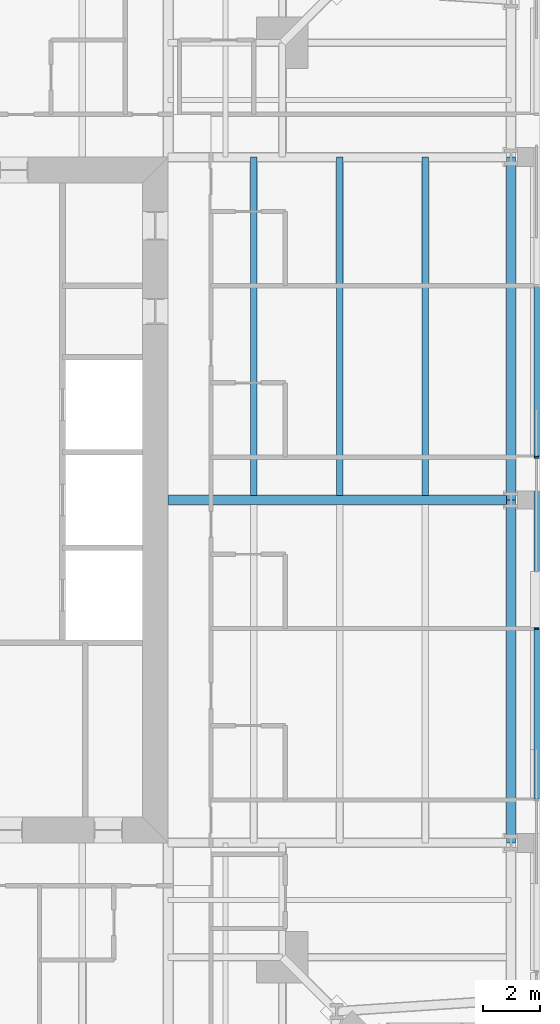
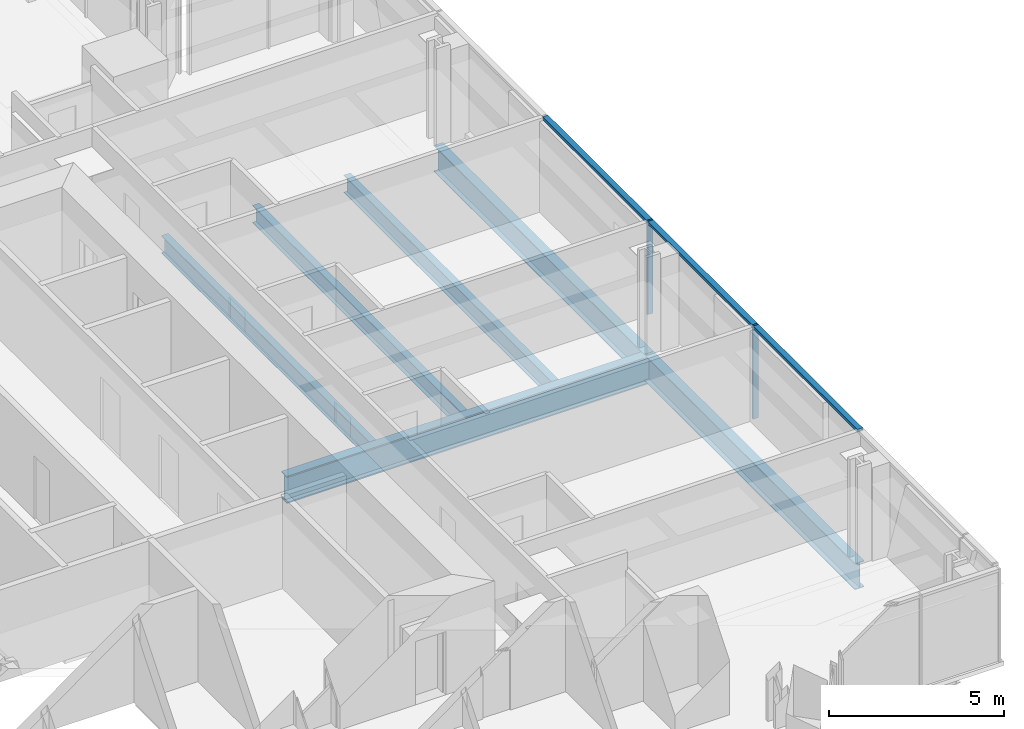
# One storey, part 6 of 20: 6 beams, 5 members, 1 element without a shape of its own.
"""IFC4 building model written with IfcOpenShell, lengths in metres."""

from ifc_helpers import new_model, si_unit, direction, frame, origin, origin_2d, place, context, subcontext, project, spatial, rectangle, i_section, extrude, material, material_profile, profile_set, type_object, element, aggregate, save


model = new_model("IFC4")

# Units and contexts
model_context = context("Model", 3, precision=1e-05, world=origin(), true_north=direction((0.0, 1.0)))
body_context = subcontext(model_context, "Body", "Model", "MODEL_VIEW")
ifc_project = project(units=[si_unit("LENGTHUNIT", "METRE"), si_unit("AREAUNIT", "SQUARE_METRE"), si_unit("VOLUMEUNIT", "CUBIC_METRE"), si_unit("PLANEANGLEUNIT", "RADIAN"), si_unit("MASSUNIT", "GRAM", prefix="KILO")], contexts=[model_context])

# Site, building, storey
site_placement = place(None, origin())
site = spatial("IfcSite", under=ifc_project, at=site_placement, CompositionType="ELEMENT")
building_placement = place(site_placement, origin())
building = spatial("IfcBuilding", under=site, at=building_placement, Name="Fenwick Lantern Interchange", CompositionType="ELEMENT")
storey_placement = place(building_placement, frame((0.0, 0.0, 245.800048828125)))
storey = spatial("IfcBuildingStorey", under=building, at=storey_placement, Name="L57", CompositionType="ELEMENT", Elevation=245.800048828125)

# Beams
ifc_material_1 = material(Name="Steel ASTM A992 Grade 50", Category="steel")
ifc_material_profile_1 = material_profile(ifc_material_1, i_section(OverallWidth=0.3046875, OverallDepth=0.911865234375, WebThickness=0.015869140625, FlangeThickness=0.02392578125, at=origin_2d()), Name="W36X150")
ifc_profile_set_1 = profile_set([ifc_material_profile_1], Name="Steel ASTM A992 Grade 50")
beam_type_1 = type_object("IfcBeamType", Name="EDGE BEAM W36X150", PredefinedType="SPANDREL", material=ifc_profile_set_1)
for number, where, z_axis, x_axis, name in (
    (1, (49.0, 13.0, -0.60595703125), (0.0, 1.0, 0.0), (-1.0, 0.0, 0.0), "L57/FR/E/EB2"),
    (2, (49.0, 25.0, -0.60595703125), (0.0, 1.0, 0.0), (-1.0, 0.0, 0.0), "L57/FR/E/EB3"),
):
    element("IfcBeam", number, at=place(storey_placement, frame(where, z_axis=z_axis, x_axis=x_axis)), inside=storey, type_object=beam_type_1, Name=name, PredefinedType="SPANDREL", context=body_context, shape_type="SweptSolid", body=[
        extrude(i_section(OverallWidth=0.3046875, OverallDepth=0.911865234375, WebThickness=0.015869140625, FlangeThickness=0.02392578125, at=origin_2d()), origin(), (0.0, 0.0, 1.0), 12.0),
    ])
ifc_material_profile_2 = material_profile(ifc_material_1, i_section(OverallWidth=0.22900390625, OverallDepth=0.612060546875, WebThickness=0.011962890625, FlangeThickness=0.01953125, at=origin_2d()), Name="W24X84")
ifc_profile_set_2 = profile_set([ifc_material_profile_2], Name="Steel ASTM A992 Grade 50")
beam_type_2 = type_object("IfcBeamType", Name="FLOOR BEAM W24X84", PredefinedType="BEAM", material=ifc_profile_set_2)
for number, where, z_axis, x_axis, name in (
    (3, (46.0, 25.155029296875, -0.4560546875), (0.0, 1.0, 0.0), (-1.0, 0.0, 0.0), "L57/FR/E/B04"),
    (4, (43.0, 25.155029296875, -0.4560546875), (0.0, 1.0, 0.0), (-1.0, 0.0, 0.0), "L57/FR/E/B05"),
    (5, (40.0, 25.155029296875, -0.4560546875), (0.0, 1.0, 0.0), (-1.0, 0.0, 0.0), "L57/FR/E/B06"),
):
    element("IfcBeam", number, at=place(storey_placement, frame(where, z_axis=z_axis, x_axis=x_axis)), inside=storey, type_object=beam_type_2, Name=name, PredefinedType="BEAM", context=body_context, shape_type="SweptSolid", body=[
        extrude(i_section(OverallWidth=0.22900390625, OverallDepth=0.612060546875, WebThickness=0.011962890625, FlangeThickness=0.01953125, at=origin_2d()), origin(), (0.0, 0.0, 1.0), 11.844970703125),
    ])

# Curtain wall, members
ifc_material_2 = material(Name="Aluminium curtain wall frame", Category="aluminium")
curtain_wall_type = type_object("IfcCurtainWallType", Name="HOTEL CURTAIN WALL", PredefinedType="USERDEFINED", material=ifc_material_2)
curtain_wall_placement = place(storey_placement, origin())
curtain_wall = element("IfcCurtainWall", 6, at=curtain_wall_placement, inside=storey, type_object=curtain_wall_type, Name="Hotel curtain wall 05", ObjectType="HOTEL CURTAIN WALL", PredefinedType="USERDEFINED")
ifc_material_3 = material(Name="Aluminium extrusion", Category="aluminium")
ifc_material_profile_3 = material_profile(ifc_material_3, rectangle(XDim=0.179931640625, YDim=0.06005859375, at=origin_2d()), Name="HOTEL CURTAIN WALL MULLION 60 X 180")
ifc_profile_set_3 = profile_set([ifc_material_profile_3], Name="Aluminium extrusion")
member_type_1 = type_object("IfcMemberType", Name="HOTEL CURTAIN WALL MULLION 60 X 180", PredefinedType="MULLION", material=ifc_profile_set_3)
member_1_placement = place(storey_placement, frame((49.89990234375, 20.5, 0.0), z_axis=(0.0, 0.0, 1.0), x_axis=(-1.0, 0.0, 0.0)))
member_1 = element("IfcMember", 7, at=member_1_placement, type_object=member_type_1, Name="L57/CW/05/M03", PredefinedType="MULLION", context=body_context, shape_type="SweptSolid", body=[
    extrude(rectangle(XDim=0.179931640625, YDim=0.06005859375, at=origin_2d()), origin(), (0.0, 0.0, 1.0), 3.25),
])
member_2_placement = place(storey_placement, frame((49.89990234375, 26.5, 0.0), z_axis=(0.0, 0.0, 1.0), x_axis=(-1.0, 0.0, 0.0)))
member_2 = element("IfcMember", 8, at=member_2_placement, type_object=member_type_1, Name="L57/CW/05/M04", PredefinedType="MULLION", context=body_context, shape_type="SweptSolid", body=[
    extrude(rectangle(XDim=0.179931640625, YDim=0.06005859375, at=origin_2d()), origin(), (0.0, 0.0, 1.0), 3.25),
])
ifc_material_profile_4 = material_profile(ifc_material_3, rectangle(XDim=0.179931640625, YDim=0.10009765625, at=origin_2d()), Name="HOTEL CURTAIN WALL TRANSOM 100 X 180")
ifc_profile_set_4 = profile_set([ifc_material_profile_4], Name="Aluminium extrusion")
member_type_2 = type_object("IfcMemberType", Name="HOTEL CURTAIN WALL TRANSOM 100 X 180", PredefinedType="MULLION", material=ifc_profile_set_4)
member_3_placement = place(storey_placement, frame((49.89990234375, 14.530029296875, 3.199951171875), z_axis=(0.0, 1.0, 0.0), x_axis=(-1.0, 0.0, 0.0)))
member_3 = element("IfcMember", 9, at=member_3_placement, type_object=member_type_2, Name="L57/CW/05/T02", PredefinedType="MULLION", context=body_context, shape_type="SweptSolid", body=[
    extrude(rectangle(XDim=0.179931640625, YDim=0.10009765625, at=origin_2d()), origin(), (0.0, 0.0, 1.0), 5.93994140625),
])
member_4_placement = place(storey_placement, frame((49.89990234375, 20.530029296875, 3.199951171875), z_axis=(0.0, 1.0, 0.0), x_axis=(-1.0, 0.0, 0.0)))
member_4 = element("IfcMember", 10, at=member_4_placement, type_object=member_type_2, Name="L57/CW/05/T03", PredefinedType="MULLION", context=body_context, shape_type="SweptSolid", body=[
    extrude(rectangle(XDim=0.179931640625, YDim=0.10009765625, at=origin_2d()), origin(), (0.0, 0.0, 1.0), 5.93994140625),
])
member_5_placement = place(storey_placement, frame((49.89990234375, 26.530029296875, 3.199951171875), z_axis=(0.0, 1.0, 0.0), x_axis=(-1.0, 0.0, 0.0)))
member_5 = element("IfcMember", 11, at=member_5_placement, type_object=member_type_2, Name="L57/CW/05/T04", PredefinedType="MULLION", context=body_context, shape_type="SweptSolid", body=[
    extrude(rectangle(XDim=0.179931640625, YDim=0.10009765625, at=origin_2d()), origin(), (0.0, 0.0, 1.0), 5.93994140625),
])
aggregate(curtain_wall, [member_1, member_2, member_3, member_4, member_5])

# Beam
ifc_material_profile_5 = material_profile(ifc_material_1, i_section(OverallWidth=0.309814453125, OverallDepth=0.949951171875, WebThickness=0.0244140625, FlangeThickness=0.0439453125, at=origin_2d()), Name="W36X256")
ifc_profile_set_5 = profile_set([ifc_material_profile_5], Name="Steel ASTM A992 Grade 50")
beam_type_3 = type_object("IfcBeamType", Name="MOMENT-CONNECTED GIRDER W36X256", PredefinedType="BEAM", material=ifc_profile_set_5)
beam_placement = place(storey_placement, frame((49.0, 25.0, -0.625), z_axis=(-1.0, 0.0, 0.0), x_axis=(0.0, -1.0, 0.0)))
element("IfcBeam", 12, at=beam_placement, inside=storey, type_object=beam_type_3, Name="L57/FR/E/R02", PredefinedType="BEAM", context=body_context, shape_type="SweptSolid", body=[
    extrude(i_section(OverallWidth=0.309814453125, OverallDepth=0.949951171875, WebThickness=0.0244140625, FlangeThickness=0.0439453125, at=origin_2d()), origin(), (0.0, 0.0, 1.0), 12.0),
])

save(model, "model.ifc")
